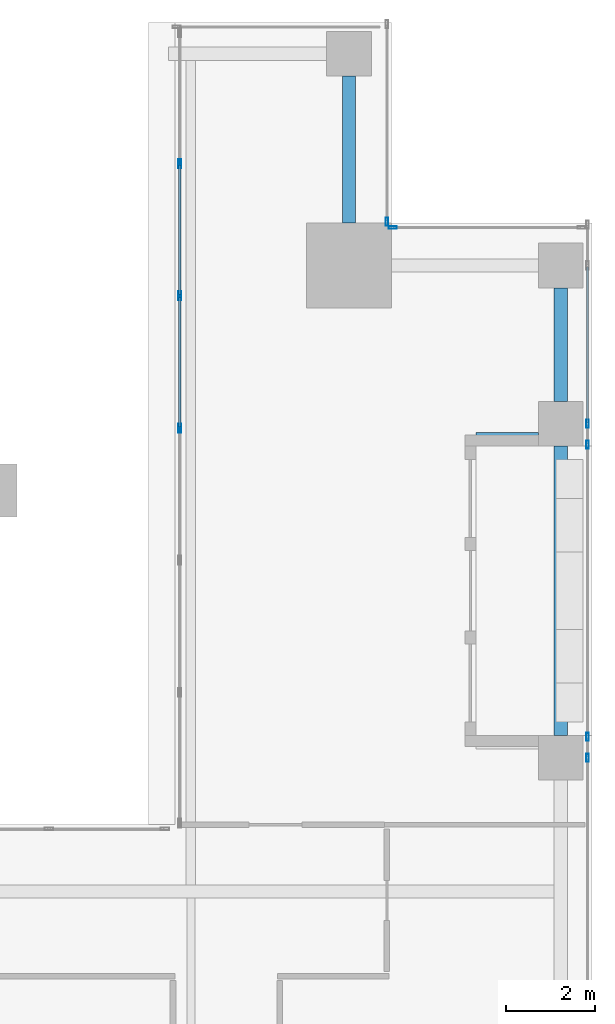
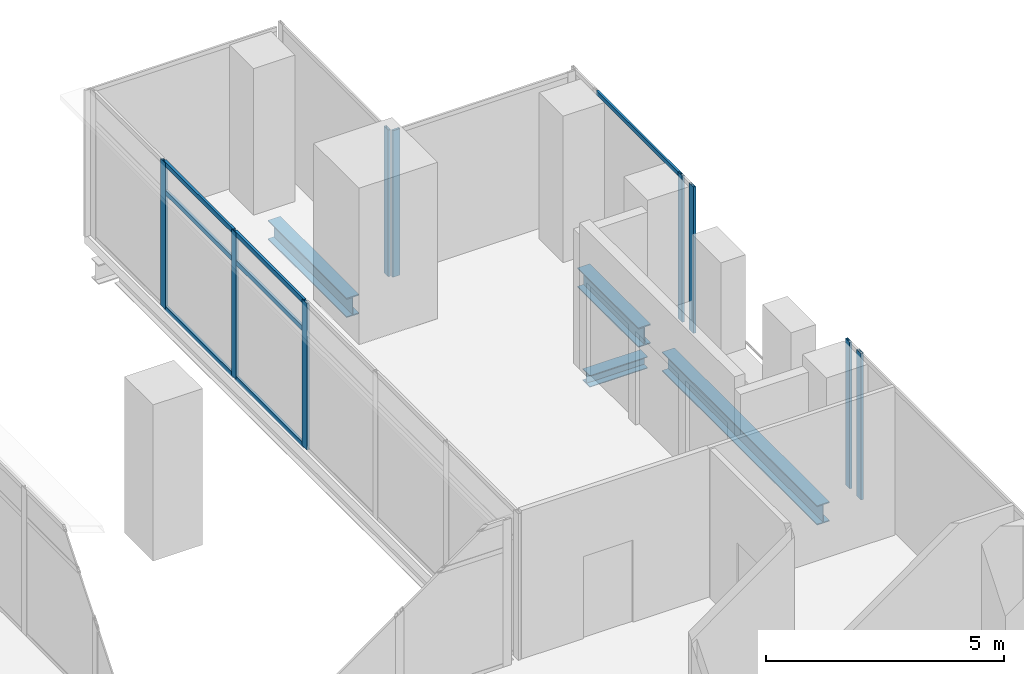
# One storey, part 26 of 40: 16 members, 4 beams, 5 elements without a shape of their own.
"""IFC4 building model written with IfcOpenShell, lengths in metres."""

import ifcopenshell
import ifcopenshell.guid

model = None  # the IFC model being written
_history = None  # IfcOwnerHistory: only IFC2X3 demands one
_inside = {}  # id of a spatial element -> (the spatial element, [elements in it])
_under = {}  # id of a project, library or spatial element -> (it, [spatial elements below it])
_declared = {}  # id of a project -> (the project, [libraries it declares])
_typed = {}  # id of a type object -> (the type object, [elements of that type])
_made_of = {}  # id of a material, layer set ... -> (it, [elements and type objects made of it])


def new_model(schema):
    """Start an empty IFC model of exactly this schema.

    Asked for "IFC4X3", IfcOpenShell would pick the latest addendum, in which some entities
    have other attributes; the version numbers below select the first issue.
    IFC2X3 requires an IfcOwnerHistory on every rooted entity: one is made here for all.
    """
    global model, _history
    if schema == "IFC4X3":
        model = ifcopenshell.file(schema_version=(4, 3, 0, 0))
    else:
        model = ifcopenshell.file(schema=schema)
    _inside.clear()
    _under.clear()
    _declared.clear()
    _typed.clear()
    _made_of.clear()
    _history = None
    if model.schema == "IFC2X3":
        org = make("IfcOrganization", Name="unknown")
        user = make(
            "IfcPersonAndOrganization",
            ThePerson=make("IfcPerson", FamilyName="unknown"),
            TheOrganization=org,
        )
        app = make(
            "IfcApplication",
            ApplicationDeveloper=org,
            Version="unknown",
            ApplicationFullName="unknown",
            ApplicationIdentifier="unknown",
        )
        _history = make(
            "IfcOwnerHistory",
            OwningUser=user,
            OwningApplication=app,
            ChangeAction="ADDED",
            CreationDate=0,
        )
    return model


def make(cls, **values):
    """One entity of the class cls with the attributes given. An attribute that is None is left unset."""
    return model.create_entity(
        cls, **{name: value for name, value in values.items() if value is not None}
    )


def rooted(cls, **values):
    """An entity with a GlobalId (a new one), such as an element, a storey or a relation."""
    return make(cls, GlobalId=ifcopenshell.guid.new(), OwnerHistory=_history, **values)


def si_unit(unit_type, name, prefix=None):
    """IfcSIUnit, for example si_unit("LENGTHUNIT", "METRE", prefix="MILLI")."""
    return make("IfcSIUnit", UnitType=unit_type, Prefix=prefix, Name=name)


def assignment(units):
    """IfcUnitAssignment: the units of a project."""
    return None if units is None else make("IfcUnitAssignment", Units=units)


def point(xyz):
    """IfcCartesianPoint."""
    return None if xyz is None else make("IfcCartesianPoint", Coordinates=xyz)


def direction(xyz):
    """IfcDirection."""
    return None if xyz is None else make("IfcDirection", DirectionRatios=xyz)


def frame(location, z_axis=None, x_axis=None):
    """IfcAxis2Placement3D, a coordinate frame: its origin and axes. An axis left out is left unset."""
    return make(
        "IfcAxis2Placement3D",
        Location=point(location),
        Axis=direction(z_axis),
        RefDirection=direction(x_axis),
    )


def frame_2d(location, x_axis=None):
    """IfcAxis2Placement2D, a coordinate frame in the plane: its origin and x axis."""
    return make(
        "IfcAxis2Placement2D", Location=point(location), RefDirection=direction(x_axis)
    )


def origin():
    """The frame at (0, 0, 0) with its axes left unset."""
    return frame((0.0, 0.0, 0.0))


def origin_2d():
    """The frame at (0, 0) in the plane with its x axis left unset."""
    return frame_2d((0.0, 0.0))


def place(relative_to, where):
    """IfcLocalPlacement: puts the frame where relative to a parent placement (None: the world)."""
    return make(
        "IfcLocalPlacement", PlacementRelTo=relative_to, RelativePlacement=where
    )


def context(
    kind, dimensions, precision=None, world=None, true_north=None, identifier=None
):
    """IfcGeometricRepresentationContext, for example the 3D "Model" context."""
    return make(
        "IfcGeometricRepresentationContext",
        ContextIdentifier=identifier,
        ContextType=kind,
        CoordinateSpaceDimension=dimensions,
        Precision=precision,
        WorldCoordinateSystem=world,
        TrueNorth=true_north,
    )


def subcontext(parent, identifier, kind, view, scale=None):
    """IfcGeometricRepresentationSubContext, for example "Body" below "Model"."""
    return make(
        "IfcGeometricRepresentationSubContext",
        ContextIdentifier=identifier,
        ContextType=kind,
        ParentContext=parent,
        TargetScale=scale,
        TargetView=view,
    )


def project(units=None, contexts=None):
    """IfcProject with its units and contexts."""
    return rooted(
        "IfcProject",
        Name="project",
        RepresentationContexts=contexts,
        UnitsInContext=assignment(units),
    )


def spatial(cls, under=None, at=None, **own):
    """A site, building, storey or space (cls), placed at a placement, below another one or the project."""
    s = rooted(cls, ObjectPlacement=at, **own)
    if under is not None:
        _under.setdefault(under.id(), (under, []))[1].append(s)
    return s


def profile(cls, at=None, kind="AREA", **sizes):
    """A parametric profile (cls). Its sizes go by their IFC names, for example OverallWidth=200.0."""
    return make(cls, ProfileType=kind, Position=at, **sizes)


def hollow_rectangle(**sizes):
    """IfcRectangleHollowProfileDef."""
    return profile("IfcRectangleHollowProfileDef", **sizes)


def i_section(**sizes):
    """IfcIShapeProfileDef."""
    return profile("IfcIShapeProfileDef", **sizes)


def extrude(swept, where, along, depth):
    """IfcExtrudedAreaSolid: the profile swept, set in the frame where, extruded along a direction by depth."""
    return make(
        "IfcExtrudedAreaSolid",
        SweptArea=swept,
        Position=where,
        ExtrudedDirection=direction(along),
        Depth=depth,
    )


def shape(context_of_items, identifier, shape_type, items):
    """IfcShapeRepresentation: the items that make up one representation, for example the "Body"."""
    return make(
        "IfcShapeRepresentation",
        ContextOfItems=context_of_items,
        RepresentationIdentifier=identifier,
        RepresentationType=shape_type,
        Items=items,
    )


def source(mapping_origin, context_of_items, identifier, shape_type, items):
    """IfcRepresentationMap: a shape defined once, which mapped items show again and again."""
    return make(
        "IfcRepresentationMap",
        MappingOrigin=mapping_origin,
        MappedRepresentation=shape(context_of_items, identifier, shape_type, items),
    )


def transform(
    local_origin,
    x_axis=None,
    y_axis=None,
    z_axis=None,
    scale=None,
    scale2=None,
    scale3=None,
    uniform=True,
):
    """IfcCartesianTransformationOperator3D, or its non-uniform kind. x_axis, y_axis, z_axis: its Axis1, 2, 3."""
    if uniform:
        return make(
            "IfcCartesianTransformationOperator3D",
            Axis1=direction(x_axis),
            Axis2=direction(y_axis),
            LocalOrigin=point(local_origin),
            Scale=scale,
            Axis3=direction(z_axis),
        )
    return make(
        "IfcCartesianTransformationOperator3DnonUniform",
        Axis1=direction(x_axis),
        Axis2=direction(y_axis),
        LocalOrigin=point(local_origin),
        Scale=scale,
        Axis3=direction(z_axis),
        Scale2=scale2,
        Scale3=scale3,
    )


def mapped(mapping_source, mapping_target):
    """IfcMappedItem: shows the shape of a source again, moved by a transform."""
    return make(
        "IfcMappedItem", MappingSource=mapping_source, MappingTarget=mapping_target
    )


def material(Name=None, Category=None):
    """IfcMaterial."""
    return make("IfcMaterial", Name=Name, Category=Category)


def material_profile(
    of_material, cross_section, Name=None, Category=None, Priority=None
):
    """IfcMaterialProfile: a cross section and its material."""
    return make(
        "IfcMaterialProfile",
        Name=Name,
        Material=of_material,
        Profile=cross_section,
        Priority=Priority,
        Category=Category,
    )


def profile_set(profiles, Name=None, composite=None):
    """IfcMaterialProfileSet."""
    return make(
        "IfcMaterialProfileSet",
        Name=Name,
        MaterialProfiles=profiles,
        CompositeProfile=composite,
    )


def made_of(thing, what):
    """Note that an element or type object is made of a material, layer set ...; save() writes the relation."""
    if what is not None:
        _made_of.setdefault(what.id(), (what, []))[1].append(thing)
    return thing


def type_object(cls, material=None, **own):
    """A type object (cls), such as IfcWallType, which elements share."""
    return made_of(rooted(cls, **own), material)


def element(
    cls,
    number,
    at=None,
    inside=None,
    cuts=None,
    type_object=None,
    material=None,
    context=None,
    identifier="Body",
    shape_type=None,
    held_by="IfcProductDefinitionShape",
    body=None,
    shapes=None,
    **own,
):
    """One element of the class cls, such as IfcWall. Its Tag is "e" and its number.

    at: its placement. inside: the storey or other place that contains it. cuts: it is an
    opening in that element (IfcRelVoidsElement). A single representation is given by context,
    identifier, shape_type and body (its items); several are given by shapes. held_by: the class
    of the entity that holds the representations. save() writes the other relations.
    """
    e = rooted(cls, Tag="e%d" % number, ObjectPlacement=at, **own)
    if body is not None:
        shapes = [shape(context, identifier, shape_type, body)]
    if shapes is not None:
        e.Representation = make(held_by, Representations=shapes)
    if inside is not None:
        _inside.setdefault(inside.id(), (inside, []))[1].append(e)
    if cuts is not None:
        rooted(
            "IfcRelVoidsElement", RelatingBuildingElement=cuts, RelatedOpeningElement=e
        )
    if type_object is not None:
        _typed.setdefault(type_object.id(), (type_object, []))[1].append(e)
    return made_of(e, material)


def aggregate(whole, parts):
    """IfcRelAggregates: a whole, such as a stair, and the parts it consists of."""
    return rooted("IfcRelAggregates", RelatingObject=whole, RelatedObjects=parts)


def save(model, path):
    """Write the relations noted so far, then the file.

    IfcRelAggregates (storeys below a building ...), IfcRelContainedInSpatialStructure (elements
    in a storey), IfcRelDefinesByType, IfcRelAssociatesMaterial and IfcRelDeclares: one each for
    every whole, place, type object, material and project.
    """
    for whole, parts in _under.values():
        aggregate(whole, parts)
    for where, things in _inside.values():
        rooted(
            "IfcRelContainedInSpatialStructure",
            RelatedElements=things,
            RelatingStructure=where,
        )
    for kind, things in _typed.values():
        rooted("IfcRelDefinesByType", RelatedObjects=things, RelatingType=kind)
    for what, things in _made_of.values():
        rooted("IfcRelAssociatesMaterial", RelatedObjects=things, RelatingMaterial=what)
    for by, libraries in _declared.values():
        rooted("IfcRelDeclares", RelatingContext=by, RelatedDefinitions=libraries)
    model.write(path)


model = new_model("IFC4")

# Units and contexts
model_context = context("Model", 3, precision=1e-05, world=origin(), true_north=direction((0.0, 1.0)))
body_context = subcontext(model_context, "Body", "Model", "MODEL_VIEW")
ifc_project = project(units=[si_unit("LENGTHUNIT", "METRE"), si_unit("AREAUNIT", "SQUARE_METRE"), si_unit("VOLUMEUNIT", "CUBIC_METRE"), si_unit("PLANEANGLEUNIT", "RADIAN"), si_unit("MASSUNIT", "GRAM", prefix="KILO")], contexts=[model_context])

# Site, building, storey
site_placement = place(None, origin())
site = spatial("IfcSite", under=ifc_project, at=site_placement, CompositionType="ELEMENT")
building_placement = place(site_placement, origin())
building = spatial("IfcBuilding", under=site, at=building_placement, Name="Khomas Fold Tower", CompositionType="ELEMENT")
storey_placement = place(building_placement, frame((0.0, 0.0, 180.699951171875)))
storey = spatial("IfcBuildingStorey", under=building, at=storey_placement, Name="L39", CompositionType="ELEMENT", Elevation=180.699951171875)

# Beams
ifc_material_1 = material(Name="Steel S355", Category="steel")
ifc_material_profile_1 = material_profile(ifc_material_1, i_section(OverallWidth=0.300048828125, OverallDepth=0.5, WebThickness=0.014404296875, FlangeThickness=0.028076171875, at=origin_2d()), Name="HE 500 B")
ifc_profile_set_1 = profile_set([ifc_material_profile_1], Name="Steel S355")
beam_type_1 = type_object("IfcBeamType", Name="HE 500 B spandrel SB3", PredefinedType="SPANDREL", material=ifc_profile_set_1)
shared_shape_1 = source(origin(), body_context, "Body", "SweptSolid", [
    extrude(i_section(OverallWidth=0.300048828125, OverallDepth=0.5, WebThickness=0.014404296875, FlangeThickness=0.028076171875, at=origin_2d()), origin(), (0.0, 0.0, 1.0), 2.550048828125),
])
beam_1_placement = place(storey_placement, frame((50.300048828125, 42.5, -0.5), z_axis=(0.0, 1.0, 0.0), x_axis=(-1.0, 0.0, 0.0)))
element("IfcBeam", 1, at=beam_1_placement, inside=storey, type_object=beam_type_1, Name="SB3", PredefinedType="SPANDREL", context=body_context, shape_type="MappedRepresentation", body=[
    mapped(shared_shape_1, transform((0.0, 0.0, 0.0))),
])
shared_shape_2 = source(origin(), body_context, "Body", "SweptSolid", [
    extrude(i_section(OverallWidth=0.300048828125, OverallDepth=0.5, WebThickness=0.014404296875, FlangeThickness=0.028076171875, at=origin_2d()), origin(), (0.0, 0.0, 1.0), 6.5),
])
beam_2_placement = place(storey_placement, frame((50.300048828125, 35.0, -0.5), z_axis=(0.0, 1.0, 0.0), x_axis=(-1.0, 0.0, 0.0)))
element("IfcBeam", 2, at=beam_2_placement, inside=storey, type_object=beam_type_1, Name="SB3", PredefinedType="SPANDREL", context=body_context, shape_type="MappedRepresentation", body=[
    mapped(shared_shape_2, transform((0.0, 0.0, 0.0))),
])
shared_shape_3 = source(origin(), body_context, "Body", "SweptSolid", [
    extrude(i_section(OverallWidth=0.300048828125, OverallDepth=0.5, WebThickness=0.014404296875, FlangeThickness=0.028076171875, at=origin_2d()), origin(), (0.0, 0.0, 1.0), 3.300048828125),
])
beam_3_placement = place(storey_placement, frame((45.550048828125, 46.5, -0.5), z_axis=(0.0, 1.0, 0.0), x_axis=(-1.0, 0.0, 0.0)))
element("IfcBeam", 3, at=beam_3_placement, inside=storey, type_object=beam_type_1, Name="SB3", PredefinedType="SPANDREL", context=body_context, shape_type="MappedRepresentation", body=[
    mapped(shared_shape_3, transform((0.0, 0.0, 0.0))),
])
ifc_material_2 = material(Name="Steel S355", Category="steel")
ifc_material_profile_2 = material_profile(ifc_material_2, i_section(OverallWidth=0.300048828125, OverallDepth=0.300048828125, WebThickness=0.010986328125, FlangeThickness=0.01904296875, at=origin_2d()), Name="HE 300 B")
ifc_profile_set_2 = profile_set([ifc_material_profile_2], Name="Steel S355")
beam_type_2 = type_object("IfcBeamType", Name="HE 300 B beam BB1", PredefinedType="BEAM", material=ifc_profile_set_2)
shared_shape_4 = source(origin(), body_context, "Body", "SweptSolid", [
    extrude(i_section(OverallWidth=0.300048828125, OverallDepth=0.300048828125, WebThickness=0.010986328125, FlangeThickness=0.01904296875, at=origin_2d()), origin(), (0.0, 0.0, 1.0), 1.400146484375),
])
beam_4_placement = place(storey_placement, frame((48.39990234375, 41.64990234375, -0.39990234375), z_axis=(1.0, 0.0, 0.0), x_axis=(0.0, 1.0, 0.0)))
element("IfcBeam", 4, at=beam_4_placement, inside=storey, type_object=beam_type_2, Name="BB1", PredefinedType="BEAM", context=body_context, shape_type="MappedRepresentation", body=[
    mapped(shared_shape_4, transform((0.0, 0.0, 0.0))),
])

# Curtain wall, members
ifc_material_3 = material(Name="Aluminium framed double glazing", Category="aluminium")
curtain_wall_type_1 = type_object("IfcCurtainWallType", Name="SK-Unitised clear-glass wall, office floors CW2", PredefinedType="NOTDEFINED", material=ifc_material_3)
curtain_wall_1_placement = place(storey_placement, origin())
curtain_wall_1 = element("IfcCurtainWall", 5, at=curtain_wall_1_placement, inside=storey, type_object=curtain_wall_type_1, Name="CW2 run L39 08-0", PredefinedType="NOTDEFINED")
ifc_material_4 = material(Name="Aluminium", Category="aluminium")
ifc_material_profile_3 = material_profile(ifc_material_4, hollow_rectangle(XDim=0.06005859375, YDim=0.179931640625, WallThickness=0.00390625, at=origin_2d()), Name="SK-Unitised clear-glass wall, office floors mullion CW2-M")
ifc_profile_set_3 = profile_set([ifc_material_profile_3], Name="Aluminium")
member_type_1 = type_object("IfcMemberType", Name="SK-Unitised clear-glass wall, office floors mullion CW2-M", PredefinedType="MULLION", material=ifc_profile_set_3)
shared_shape_5 = source(origin(), body_context, "Body", "SweptSolid", [
    extrude(hollow_rectangle(XDim=0.06005859375, YDim=0.179931640625, WallThickness=0.00390625, at=origin_2d()), origin(), (0.0, 0.0, 1.0), 3.75),
])
member_1_placement = place(storey_placement, frame((50.89990234375, 34.5, 0.0), z_axis=(0.0, 0.0, 1.0), x_axis=(-1.0, 0.0, 0.0)))
member_1 = element("IfcMember", 6, at=member_1_placement, type_object=member_type_1, Name="CW2 mullion 6", PredefinedType="MULLION", context=body_context, shape_type="MappedRepresentation", body=[
    mapped(shared_shape_5, transform((0.0, 0.0, 0.0))),
])
member_2_placement = place(storey_placement, frame((50.89990234375, 34.969970703125, 0.0), z_axis=(0.0, 0.0, 1.0), x_axis=(-1.0, 0.0, 0.0)))
member_2 = element("IfcMember", 7, at=member_2_placement, type_object=member_type_1, Name="CW2 mullion 7", PredefinedType="MULLION", context=body_context, shape_type="MappedRepresentation", body=[
    mapped(shared_shape_5, transform((0.0, 0.0, 0.0))),
])
aggregate(curtain_wall_1, [member_1, member_2])

curtain_wall_2_placement = place(storey_placement, origin())
curtain_wall_2 = element("IfcCurtainWall", 8, at=curtain_wall_2_placement, inside=storey, type_object=curtain_wall_type_1, Name="CW2 run L39 08-1", PredefinedType="NOTDEFINED")
member_3_placement = place(storey_placement, frame((50.89990234375, 41.530029296875, 0.0), z_axis=(0.0, 0.0, 1.0), x_axis=(-1.0, 0.0, 0.0)))
member_3 = element("IfcMember", 9, at=member_3_placement, type_object=member_type_1, Name="CW2 mullion 1", PredefinedType="MULLION", context=body_context, shape_type="MappedRepresentation", body=[
    mapped(shared_shape_5, transform((0.0, 0.0, 0.0))),
])
member_4_placement = place(storey_placement, frame((50.89990234375, 42.0, 0.0), z_axis=(0.0, 0.0, 1.0), x_axis=(-1.0, 0.0, 0.0)))
member_4 = element("IfcMember", 10, at=member_4_placement, type_object=member_type_1, Name="CW2 mullion 2", PredefinedType="MULLION", context=body_context, shape_type="MappedRepresentation", body=[
    mapped(shared_shape_5, transform((0.0, 0.0, 0.0))),
])

# Curtain wall, member
curtain_wall_3_placement = place(storey_placement, origin())
curtain_wall_3 = element("IfcCurtainWall", 11, at=curtain_wall_3_placement, inside=storey, type_object=curtain_wall_type_1, Name="CW2 corner return L39 09", PredefinedType="NOTDEFINED")
member_5_placement = place(storey_placement, frame((46.530029296875, 46.39990234375, 0.0), z_axis=(0.0, 0.0, 1.0), x_axis=(0.0, -1.0, 0.0)))
member_5 = element("IfcMember", 12, at=member_5_placement, type_object=member_type_1, Name="CW2 mullion 2", PredefinedType="MULLION", context=body_context, shape_type="MappedRepresentation", body=[
    mapped(shared_shape_5, transform((0.0, 0.0, 0.0))),
])
aggregate(curtain_wall_3, [member_5])

curtain_wall_4_placement = place(storey_placement, origin())
curtain_wall_4 = element("IfcCurtainWall", 13, at=curtain_wall_4_placement, inside=storey, type_object=curtain_wall_type_1, Name="CW2 corner return L39 10", PredefinedType="NOTDEFINED")
member_6_placement = place(storey_placement, frame((46.39990234375, 46.530029296875, 0.0), z_axis=(0.0, 0.0, 1.0), x_axis=(-1.0, 0.0, 0.0)))
member_6 = element("IfcMember", 14, at=member_6_placement, type_object=member_type_1, Name="CW2 mullion 1", PredefinedType="MULLION", context=body_context, shape_type="MappedRepresentation", body=[
    mapped(shared_shape_5, transform((0.0, 0.0, 0.0))),
])
aggregate(curtain_wall_4, [member_6])

# Member
ifc_material_5 = material(Name="Aluminium", Category="aluminium")
ifc_material_profile_4 = material_profile(ifc_material_5, hollow_rectangle(XDim=0.050048828125, YDim=0.110107421875, WallThickness=0.00390625, at=origin_2d()), Name="SK-Unitised clear-glass wall, office floors transom CW2-T")
ifc_profile_set_4 = profile_set([ifc_material_profile_4], Name="Aluminium")
member_type_2 = type_object("IfcMemberType", Name="SK-Unitised clear-glass wall, office floors transom CW2-T", PredefinedType="USERDEFINED", material=ifc_profile_set_4)
shared_shape_6 = source(origin(), body_context, "Body", "SweptSolid", [
    extrude(hollow_rectangle(XDim=0.050048828125, YDim=0.110107421875, WallThickness=0.00390625, at=origin_2d()), origin(), (0.0, 0.0, 1.0), 3.489990234375),
])
member_7_placement = place(storey_placement, frame((50.89990234375, 42.030029296875, 3.695068359375), z_axis=(0.0, 1.0, 0.0), x_axis=(-1.0, 0.0, 0.0)))
member_7 = element("IfcMember", 15, at=member_7_placement, type_object=member_type_2, Name="CW2 transom 2", ObjectType="TRANSOM", PredefinedType="USERDEFINED", context=body_context, shape_type="MappedRepresentation", body=[
    mapped(shared_shape_6, transform((0.0, 0.0, 0.0))),
])

aggregate(curtain_wall_2, [member_3, member_4, member_7])

# Curtain wall, members
ifc_material_6 = material(Name="Aluminium framed double glazing", Category="aluminium")
curtain_wall_type_2 = type_object("IfcCurtainWallType", Name="Notch glazing GN-CW", PredefinedType="NOTDEFINED", material=ifc_material_6)
curtain_wall_5_placement = place(storey_placement, origin())
curtain_wall_5 = element("IfcCurtainWall", 16, at=curtain_wall_5_placement, inside=storey, type_object=curtain_wall_type_2, Name="Notch glazing run", PredefinedType="NOTDEFINED")
ifc_material_7 = material(Name="Aluminium", Category="aluminium")
ifc_material_profile_5 = material_profile(ifc_material_7, hollow_rectangle(XDim=0.06005859375, YDim=0.1201171875, WallThickness=0.00390625, at=origin_2d()), Name="Notch glazing transom GN-CW-T")
ifc_profile_set_5 = profile_set([ifc_material_profile_5], Name="Aluminium")
member_type_3 = type_object("IfcMemberType", Name="Notch glazing transom GN-CW-T", PredefinedType="USERDEFINED", material=ifc_profile_set_5)
shared_shape_7 = source(origin(), body_context, "Body", "SweptSolid", [
    extrude(hollow_rectangle(XDim=0.06005859375, YDim=0.1201171875, WallThickness=0.00390625, at=origin_2d()), origin(), (0.0, 0.0, 1.0), 2.90673828125),
])
member_8_placement = place(storey_placement, frame((41.75, 44.836669921875, 0.030029296875), z_axis=(0.0, -1.0, 0.0), x_axis=(1.0, 0.0, 0.0)))
member_8 = element("IfcMember", 17, at=member_8_placement, type_object=member_type_3, Name="GN-CW transom 3.1", ObjectType="TRANSOM", PredefinedType="USERDEFINED", context=body_context, shape_type="MappedRepresentation", body=[
    mapped(shared_shape_7, transform((0.0, 0.0, 0.0))),
])
member_9_placement = place(storey_placement, frame((41.75, 44.836669921875, 3.0), z_axis=(0.0, -1.0, 0.0), x_axis=(1.0, 0.0, 0.0)))
member_9 = element("IfcMember", 18, at=member_9_placement, type_object=member_type_3, Name="GN-CW transom 3.2", ObjectType="TRANSOM", PredefinedType="USERDEFINED", context=body_context, shape_type="MappedRepresentation", body=[
    mapped(shared_shape_7, transform((0.0, 0.0, 0.0))),
])
member_10_placement = place(storey_placement, frame((41.75, 44.836669921875, 3.719970703125), z_axis=(0.0, -1.0, 0.0), x_axis=(1.0, 0.0, 0.0)))
member_10 = element("IfcMember", 19, at=member_10_placement, type_object=member_type_3, Name="GN-CW transom 3.3", ObjectType="TRANSOM", PredefinedType="USERDEFINED", context=body_context, shape_type="MappedRepresentation", body=[
    mapped(shared_shape_7, transform((0.0, 0.0, 0.0))),
])
shared_shape_8 = source(origin(), body_context, "Body", "SweptSolid", [
    extrude(hollow_rectangle(XDim=0.06005859375, YDim=0.1201171875, WallThickness=0.00390625, at=origin_2d()), origin(), (0.0, 0.0, 1.0), 2.906494140625),
])
member_11_placement = place(storey_placement, frame((41.75, 47.80322265625, 0.030029296875), z_axis=(0.0, -1.0, 0.0), x_axis=(1.0, 0.0, 0.0)))
member_11 = element("IfcMember", 20, at=member_11_placement, type_object=member_type_3, Name="GN-CW transom 2.1", ObjectType="TRANSOM", PredefinedType="USERDEFINED", context=body_context, shape_type="MappedRepresentation", body=[
    mapped(shared_shape_8, transform((0.0, 0.0, 0.0))),
])
member_12_placement = place(storey_placement, frame((41.75, 47.80322265625, 3.0), z_axis=(0.0, -1.0, 0.0), x_axis=(1.0, 0.0, 0.0)))
member_12 = element("IfcMember", 21, at=member_12_placement, type_object=member_type_3, Name="GN-CW transom 2.2", ObjectType="TRANSOM", PredefinedType="USERDEFINED", context=body_context, shape_type="MappedRepresentation", body=[
    mapped(shared_shape_8, transform((0.0, 0.0, 0.0))),
])
member_13_placement = place(storey_placement, frame((41.75, 47.80322265625, 3.719970703125), z_axis=(0.0, -1.0, 0.0), x_axis=(1.0, 0.0, 0.0)))
member_13 = element("IfcMember", 22, at=member_13_placement, type_object=member_type_3, Name="GN-CW transom 2.3", ObjectType="TRANSOM", PredefinedType="USERDEFINED", context=body_context, shape_type="MappedRepresentation", body=[
    mapped(shared_shape_8, transform((0.0, 0.0, 0.0))),
])
ifc_material_8 = material(Name="Aluminium", Category="aluminium")
ifc_material_profile_6 = material_profile(ifc_material_8, hollow_rectangle(XDim=0.06005859375, YDim=0.199951171875, WallThickness=0.00390625, at=origin_2d()), Name="Notch glazing mullion GN-CW-M")
ifc_profile_set_6 = profile_set([ifc_material_profile_6], Name="Aluminium")
member_type_4 = type_object("IfcMemberType", Name="Notch glazing mullion GN-CW-M", PredefinedType="MULLION", material=ifc_profile_set_6)
shared_shape_9 = source(origin(), body_context, "Body", "SweptSolid", [
    extrude(hollow_rectangle(XDim=0.06005859375, YDim=0.199951171875, WallThickness=0.00390625, at=origin_2d()), origin(), (0.0, 0.0, 1.0), 3.75),
])
member_14_placement = place(storey_placement, frame((41.75, 47.833251953125, 0.0), z_axis=(0.0, 0.0, 1.0), x_axis=(1.0, 0.0, 0.0)))
member_14 = element("IfcMember", 23, at=member_14_placement, type_object=member_type_4, Name="GN-CW mullion 2", PredefinedType="MULLION", context=body_context, shape_type="MappedRepresentation", body=[
    mapped(shared_shape_9, transform((0.0, 0.0, 0.0))),
])
member_15_placement = place(storey_placement, frame((41.75, 44.86669921875, 0.0), z_axis=(0.0, 0.0, 1.0), x_axis=(1.0, 0.0, 0.0)))
member_15 = element("IfcMember", 24, at=member_15_placement, type_object=member_type_4, Name="GN-CW mullion 3", PredefinedType="MULLION", context=body_context, shape_type="MappedRepresentation", body=[
    mapped(shared_shape_9, transform((0.0, 0.0, 0.0))),
])
member_16_placement = place(storey_placement, frame((41.75, 41.89990234375, 0.0), z_axis=(0.0, 0.0, 1.0), x_axis=(1.0, 0.0, 0.0)))
member_16 = element("IfcMember", 25, at=member_16_placement, type_object=member_type_4, Name="GN-CW mullion 4", PredefinedType="MULLION", context=body_context, shape_type="MappedRepresentation", body=[
    mapped(shared_shape_9, transform((0.0, 0.0, 0.0))),
])
aggregate(curtain_wall_5, [member_14, member_15, member_16, member_11, member_12, member_13, member_8, member_9, member_10])

save(model, "model.ifc")
